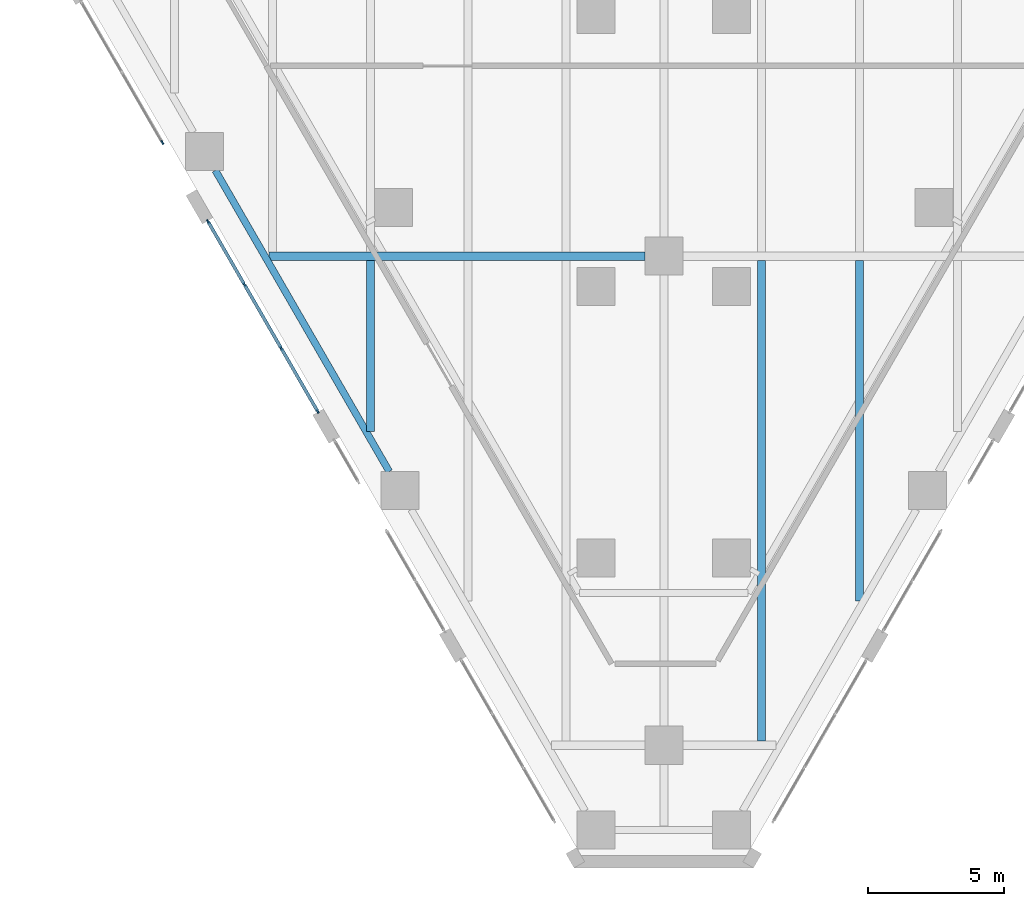
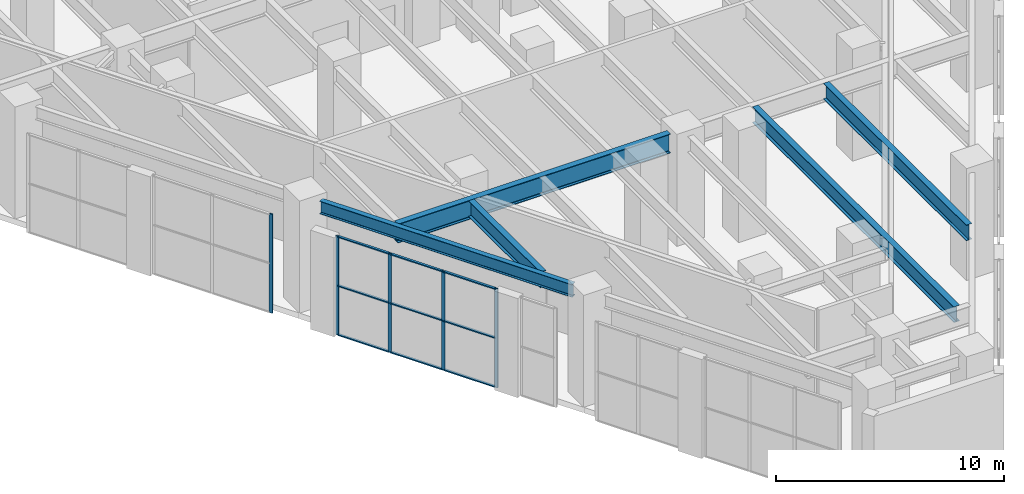
# One storey, part 3 of 37: 14 members, 5 beams, 2 elements without a shape of their own.
"""IFC4 building model written with IfcOpenShell, lengths in metres."""

from ifc_helpers import new_model, si_unit, direction, frame, origin, origin_2d, place, context, subcontext, project, spatial, rectangle, i_section, extrude, material, material_profile, profile_set, type_object, element, aggregate, save


model = new_model("IFC4")

# Units and contexts
model_context = context("Model", 3, precision=1e-05, world=origin(), true_north=direction((0.0, 1.0)))
body_context = subcontext(model_context, "Body", "Model", "MODEL_VIEW")
ifc_project = project(units=[si_unit("LENGTHUNIT", "METRE"), si_unit("AREAUNIT", "SQUARE_METRE"), si_unit("VOLUMEUNIT", "CUBIC_METRE"), si_unit("PLANEANGLEUNIT", "RADIAN"), si_unit("MASSUNIT", "GRAM", prefix="KILO")], contexts=[model_context])

# Site, building, storey
site_placement = place(None, origin())
site = spatial("IfcSite", under=ifc_project, at=site_placement, CompositionType="ELEMENT")
building_placement = place(site_placement, origin())
building = spatial("IfcBuilding", under=site, at=building_placement, Name="Aloe Facet Convention Tower", CompositionType="ELEMENT")
storey_placement = place(building_placement, frame((0.0, 0.0, 7.5)))
storey = spatial("IfcBuildingStorey", under=building, at=storey_placement, Name="L01", CompositionType="ELEMENT", Elevation=7.5)

# Curtain wall, member
ifc_material_1 = material(Name="Aluminium, anodised", Category="aluminium")
curtain_wall_type = type_object("IfcCurtainWallType", Name="EV-CW-SHOP", PredefinedType="USERDEFINED", material=ifc_material_1)
curtain_wall_1_placement = place(storey_placement, origin())
curtain_wall_1 = element("IfcCurtainWall", 1, at=curtain_wall_1_placement, inside=storey, type_object=curtain_wall_type, Name="CW-L01-W16", ObjectType="STICK SHOPFRONT GLAZING", PredefinedType="USERDEFINED")
ifc_material_2 = material(Name="Aluminium, anodised", Category="aluminium")
ifc_material_profile_1 = material_profile(ifc_material_2, rectangle(XDim=0.06005859375, YDim=0.159912109375, at=origin_2d()), Name="AL 60x160")
ifc_profile_set_1 = profile_set([ifc_material_profile_1], Name="Aluminium, anodised")
member_type_1 = type_object("IfcMemberType", Name="EV-MULL-SHOP", PredefinedType="MULLION", material=ifc_profile_set_1)
member_1_placement = place(storey_placement, frame((61.54638671875, 67.182861328125, -0.300048828125), z_axis=(0.0, 0.0, 1.0), x_axis=(0.866025403767, 0.50000000003, 0.0)))
member_1 = element("IfcMember", 2, at=member_1_placement, type_object=member_type_1, Name="CW-L01-W16 mullion 3", PredefinedType="MULLION", context=body_context, shape_type="SweptSolid", body=[
    extrude(rectangle(XDim=0.06005859375, YDim=0.159912109375, at=origin_2d()), origin(), (0.0, 0.0, 1.0), 5.3125),
])
aggregate(curtain_wall_1, [member_1])

# Curtain wall, members
curtain_wall_2_placement = place(storey_placement, origin())
curtain_wall_2 = element("IfcCurtainWall", 3, at=curtain_wall_2_placement, inside=storey, type_object=curtain_wall_type, Name="CW-L01-W18", ObjectType="STICK SHOPFRONT GLAZING", PredefinedType="USERDEFINED")
member_2_placement = place(storey_placement, frame((63.227783203125, 64.270751953125, -0.300048828125), z_axis=(0.0, 0.0, 1.0), x_axis=(0.866025403828, 0.499999999924, 0.0)))
member_2 = element("IfcMember", 4, at=member_2_placement, type_object=member_type_1, Name="CW-L01-W18 mullion 1", PredefinedType="MULLION", context=body_context, shape_type="SweptSolid", body=[
    extrude(rectangle(XDim=0.06005859375, YDim=0.159912109375, at=origin_2d()), origin(), (0.0, 0.0, 1.0), 5.3125),
])
member_3_placement = place(storey_placement, frame((64.56640625, 61.952392578125, -0.300048828125), z_axis=(0.0, 0.0, 1.0), x_axis=(0.866025403828, 0.499999999924, 0.0)))
member_3 = element("IfcMember", 5, at=member_3_placement, type_object=member_type_1, Name="CW-L01-W18 mullion 2", PredefinedType="MULLION", context=body_context, shape_type="SweptSolid", body=[
    extrude(rectangle(XDim=0.06005859375, YDim=0.159912109375, at=origin_2d()), origin(), (0.0, 0.0, 1.0), 5.3125),
])
member_4_placement = place(storey_placement, frame((65.919921875, 59.60791015625, -0.300048828125), z_axis=(0.0, 0.0, 1.0), x_axis=(0.866025403828, 0.499999999924, 0.0)))
member_4 = element("IfcMember", 6, at=member_4_placement, type_object=member_type_1, Name="CW-L01-W18 mullion 3", PredefinedType="MULLION", context=body_context, shape_type="SweptSolid", body=[
    extrude(rectangle(XDim=0.06005859375, YDim=0.159912109375, at=origin_2d()), origin(), (0.0, 0.0, 1.0), 5.3125),
])
member_5_placement = place(storey_placement, frame((67.258544921875, 57.28955078125, -0.300048828125), z_axis=(0.0, 0.0, 1.0), x_axis=(0.866025403828, 0.499999999924, 0.0)))
member_5 = element("IfcMember", 7, at=member_5_placement, type_object=member_type_1, Name="CW-L01-W18 mullion 4", PredefinedType="MULLION", context=body_context, shape_type="SweptSolid", body=[
    extrude(rectangle(XDim=0.06005859375, YDim=0.159912109375, at=origin_2d()), origin(), (0.0, 0.0, 1.0), 5.3125),
])
ifc_material_3 = material(Name="Aluminium, anodised", Category="aluminium")
ifc_material_profile_2 = material_profile(ifc_material_3, rectangle(XDim=0.1201171875, YDim=0.06005859375, at=origin_2d()), Name="AL 120x60")
ifc_profile_set_2 = profile_set([ifc_material_profile_2], Name="Aluminium, anodised")
member_type_2 = type_object("IfcMemberType", Name="EV-TRAN-SHOP", PredefinedType="USERDEFINED", material=ifc_profile_set_2)
member_6_placement = place(storey_placement, frame((63.242919921875, 64.244873046875, -0.27001953125), z_axis=(0.49992164446, -0.86607063765, 0.0), x_axis=(0.86607063765, 0.49992164446, 0.0)))
member_6 = element("IfcMember", 8, at=member_6_placement, type_object=member_type_2, Name="CW-L01-W18 transom 1.1", ObjectType="TRANSOM", PredefinedType="USERDEFINED", context=body_context, shape_type="SweptSolid", body=[
    extrude(rectangle(XDim=0.1201171875, YDim=0.06005859375, at=origin_2d()), origin(), (0.0, 0.0, 1.0), 2.6171875),
])
member_7_placement = place(storey_placement, frame((63.242919921875, 64.244873046875, 2.356201171875), z_axis=(0.49992164446, -0.86607063765, 0.0), x_axis=(0.86607063765, 0.49992164446, 0.0)))
member_7 = element("IfcMember", 9, at=member_7_placement, type_object=member_type_2, Name="CW-L01-W18 transom 1.2", ObjectType="TRANSOM", PredefinedType="USERDEFINED", context=body_context, shape_type="SweptSolid", body=[
    extrude(rectangle(XDim=0.1201171875, YDim=0.06005859375, at=origin_2d()), origin(), (0.0, 0.0, 1.0), 2.6171875),
])
member_8_placement = place(storey_placement, frame((63.242919921875, 64.244873046875, 4.982421875), z_axis=(0.49992164446, -0.86607063765, 0.0), x_axis=(0.86607063765, 0.49992164446, 0.0)))
member_8 = element("IfcMember", 10, at=member_8_placement, type_object=member_type_2, Name="CW-L01-W18 transom 1.3", ObjectType="TRANSOM", PredefinedType="USERDEFINED", context=body_context, shape_type="SweptSolid", body=[
    extrude(rectangle(XDim=0.1201171875, YDim=0.06005859375, at=origin_2d()), origin(), (0.0, 0.0, 1.0), 2.6171875),
])
member_9_placement = place(storey_placement, frame((64.581298828125, 61.92626953125, -0.27001953125), z_axis=(0.500047101561, -0.865998207978, 0.0), x_axis=(0.865998207978, 0.500047101561, 0.0)))
member_9 = element("IfcMember", 11, at=member_9_placement, type_object=member_type_2, Name="CW-L01-W18 transom 2.1", ObjectType="TRANSOM", PredefinedType="USERDEFINED", context=body_context, shape_type="SweptSolid", body=[
    extrude(rectangle(XDim=0.1201171875, YDim=0.06005859375, at=origin_2d()), origin(), (0.0, 0.0, 1.0), 2.647216796875),
])
member_10_placement = place(storey_placement, frame((64.581298828125, 61.92626953125, 2.356201171875), z_axis=(0.500047101561, -0.865998207978, 0.0), x_axis=(0.865998207978, 0.500047101561, 0.0)))
member_10 = element("IfcMember", 12, at=member_10_placement, type_object=member_type_2, Name="CW-L01-W18 transom 2.2", ObjectType="TRANSOM", PredefinedType="USERDEFINED", context=body_context, shape_type="SweptSolid", body=[
    extrude(rectangle(XDim=0.1201171875, YDim=0.06005859375, at=origin_2d()), origin(), (0.0, 0.0, 1.0), 2.647216796875),
])
member_11_placement = place(storey_placement, frame((64.581298828125, 61.92626953125, 4.982421875), z_axis=(0.500047101561, -0.865998207978, 0.0), x_axis=(0.865998207978, 0.500047101561, 0.0)))
member_11 = element("IfcMember", 13, at=member_11_placement, type_object=member_type_2, Name="CW-L01-W18 transom 2.3", ObjectType="TRANSOM", PredefinedType="USERDEFINED", context=body_context, shape_type="SweptSolid", body=[
    extrude(rectangle(XDim=0.1201171875, YDim=0.06005859375, at=origin_2d()), origin(), (0.0, 0.0, 1.0), 2.647216796875),
])
member_12_placement = place(storey_placement, frame((65.934814453125, 59.58203125, -0.27001953125), z_axis=(0.49999161165, -0.866030246746, 0.0), x_axis=(0.866030246746, 0.49999161165, 0.0)))
member_12 = element("IfcMember", 14, at=member_12_placement, type_object=member_type_2, Name="CW-L01-W18 transom 3.1", ObjectType="TRANSOM", PredefinedType="USERDEFINED", context=body_context, shape_type="SweptSolid", body=[
    extrude(rectangle(XDim=0.1201171875, YDim=0.06005859375, at=origin_2d()), origin(), (0.0, 0.0, 1.0), 2.6171875),
])
member_13_placement = place(storey_placement, frame((65.934814453125, 59.58203125, 2.356201171875), z_axis=(0.49999161165, -0.866030246746, 0.0), x_axis=(0.866030246746, 0.49999161165, 0.0)))
member_13 = element("IfcMember", 15, at=member_13_placement, type_object=member_type_2, Name="CW-L01-W18 transom 3.2", ObjectType="TRANSOM", PredefinedType="USERDEFINED", context=body_context, shape_type="SweptSolid", body=[
    extrude(rectangle(XDim=0.1201171875, YDim=0.06005859375, at=origin_2d()), origin(), (0.0, 0.0, 1.0), 2.6171875),
])
member_14_placement = place(storey_placement, frame((65.934814453125, 59.58203125, 4.982421875), z_axis=(0.49999161165, -0.866030246746, 0.0), x_axis=(0.866030246746, 0.49999161165, 0.0)))
member_14 = element("IfcMember", 16, at=member_14_placement, type_object=member_type_2, Name="CW-L01-W18 transom 3.3", ObjectType="TRANSOM", PredefinedType="USERDEFINED", context=body_context, shape_type="SweptSolid", body=[
    extrude(rectangle(XDim=0.1201171875, YDim=0.06005859375, at=origin_2d()), origin(), (0.0, 0.0, 1.0), 2.6171875),
])
aggregate(curtain_wall_2, [member_2, member_3, member_4, member_5, member_6, member_7, member_8, member_9, member_10, member_11, member_12, member_13, member_14])

# Beams
ifc_material_4 = material(Name="Steel S355", Category="steel")
ifc_material_profile_3 = material_profile(ifc_material_4, i_section(OverallWidth=0.305419921875, OverallDepth=1.02587890625, WebThickness=0.02001953125, FlangeThickness=0.031005859375, FilletRadius=0.030029296875, at=origin_2d()), Name="UB 1016x305x349")
ifc_profile_set_3 = profile_set([ifc_material_profile_3], Name="Steel S355")
beam_type_1 = type_object("IfcBeamType", Name="SF-B-UB1016x305x349", PredefinedType="BEAM", material=ifc_profile_set_3)
beam_1_placement = place(storey_placement, frame((65.47509765625, 63.0, 5.18701171875), z_axis=(1.0, 0.0, 0.0), x_axis=(0.0, 1.0, 0.0)))
element("IfcBeam", 17, at=beam_1_placement, inside=storey, type_object=beam_type_1, Name="Floor beam FB-L02-038", PredefinedType="BEAM", context=body_context, shape_type="SweptSolid", body=[
    extrude(i_section(OverallWidth=0.305419921875, OverallDepth=1.02587890625, WebThickness=0.02001953125, FlangeThickness=0.031005859375, FilletRadius=0.030029296875, at=origin_2d()), origin(), (0.0, 0.0, 1.0), 13.824951171875),
])
ifc_material_5 = material(Name="Steel S355", Category="steel")
ifc_material_profile_4 = material_profile(ifc_material_5, i_section(OverallWidth=0.25439453125, OverallDepth=0.6875, WebThickness=0.01318359375, FlangeThickness=0.02099609375, FilletRadius=0.01513671875, at=origin_2d()), Name="UB 686x254x152")
ifc_profile_set_4 = profile_set([ifc_material_profile_4], Name="Steel S355")
beam_type_2 = type_object("IfcBeamType", Name="SF-B-UB686x254x152", PredefinedType="BEAM", material=ifc_profile_set_4)
beam_2_placement = place(storey_placement, frame((69.8955078125, 55.072021484375, 5.356201171875), z_axis=(-0.499999833739, 0.866025499775, 0.0), x_axis=(-0.866025499775, -0.499999833739, 0.0)))
element("IfcBeam", 18, at=beam_2_placement, inside=storey, type_object=beam_type_2, Name="Floor beam FB-L02-013", PredefinedType="BEAM", context=body_context, shape_type="SweptSolid", body=[
    extrude(i_section(OverallWidth=0.25439453125, OverallDepth=0.6875, WebThickness=0.01318359375, FlangeThickness=0.02099609375, FilletRadius=0.01513671875, at=origin_2d()), origin(), (0.0, 0.0, 1.0), 12.7998046875),
])
ifc_material_6 = material(Name="Steel S355", Category="steel")
ifc_material_profile_5 = material_profile(ifc_material_6, i_section(OverallWidth=0.293701171875, OverallDepth=0.850830078125, WebThickness=0.01611328125, FlangeThickness=0.02685546875, FilletRadius=0.017822265625, at=origin_2d()), Name="UB 838x292x226")
ifc_profile_set_5 = profile_set([ifc_material_profile_5], Name="Steel S355")
beam_type_3 = type_object("IfcBeamType", Name="SF-B-UB838x292x226", PredefinedType="BEAM", material=ifc_profile_set_5)
beam_3_placement = place(storey_placement, frame((69.199951171875, 56.541259765625, 5.2744140625), z_axis=(0.0, 1.0, 0.0), x_axis=(-1.0, 0.0, 0.0)))
element("IfcBeam", 19, at=beam_3_placement, inside=storey, type_object=beam_type_3, Name="Floor beam FB-L02-087", PredefinedType="BEAM", context=body_context, shape_type="SweptSolid", body=[
    extrude(i_section(OverallWidth=0.293701171875, OverallDepth=0.850830078125, WebThickness=0.01611328125, FlangeThickness=0.02685546875, FilletRadius=0.017822265625, at=origin_2d()), origin(), (0.0, 0.0, 1.0), 6.30615234375),
])
beam_4_placement = place(storey_placement, frame((83.60009765625, 45.152587890625, 5.2744140625), z_axis=(0.0, 1.0, 0.0), x_axis=(-1.0, 0.0, 0.0)))
element("IfcBeam", 20, at=beam_4_placement, inside=storey, type_object=beam_type_3, Name="Floor beam FB-L02-115", PredefinedType="BEAM", context=body_context, shape_type="SweptSolid", body=[
    extrude(i_section(OverallWidth=0.293701171875, OverallDepth=0.850830078125, WebThickness=0.01611328125, FlangeThickness=0.02685546875, FilletRadius=0.017822265625, at=origin_2d()), origin(), (0.0, 0.0, 1.0), 17.69482421875),
])
beam_5_placement = place(storey_placement, frame((87.199951171875, 50.305908203125, 5.2744140625), z_axis=(0.0, 1.0, 0.0), x_axis=(-1.0, 0.0, 0.0)))
element("IfcBeam", 21, at=beam_5_placement, inside=storey, type_object=beam_type_3, Name="Floor beam FB-L02-121", PredefinedType="BEAM", context=body_context, shape_type="SweptSolid", body=[
    extrude(i_section(OverallWidth=0.293701171875, OverallDepth=0.850830078125, WebThickness=0.01611328125, FlangeThickness=0.02685546875, FilletRadius=0.017822265625, at=origin_2d()), origin(), (0.0, 0.0, 1.0), 12.54150390625),
])

save(model, "model.ifc")
